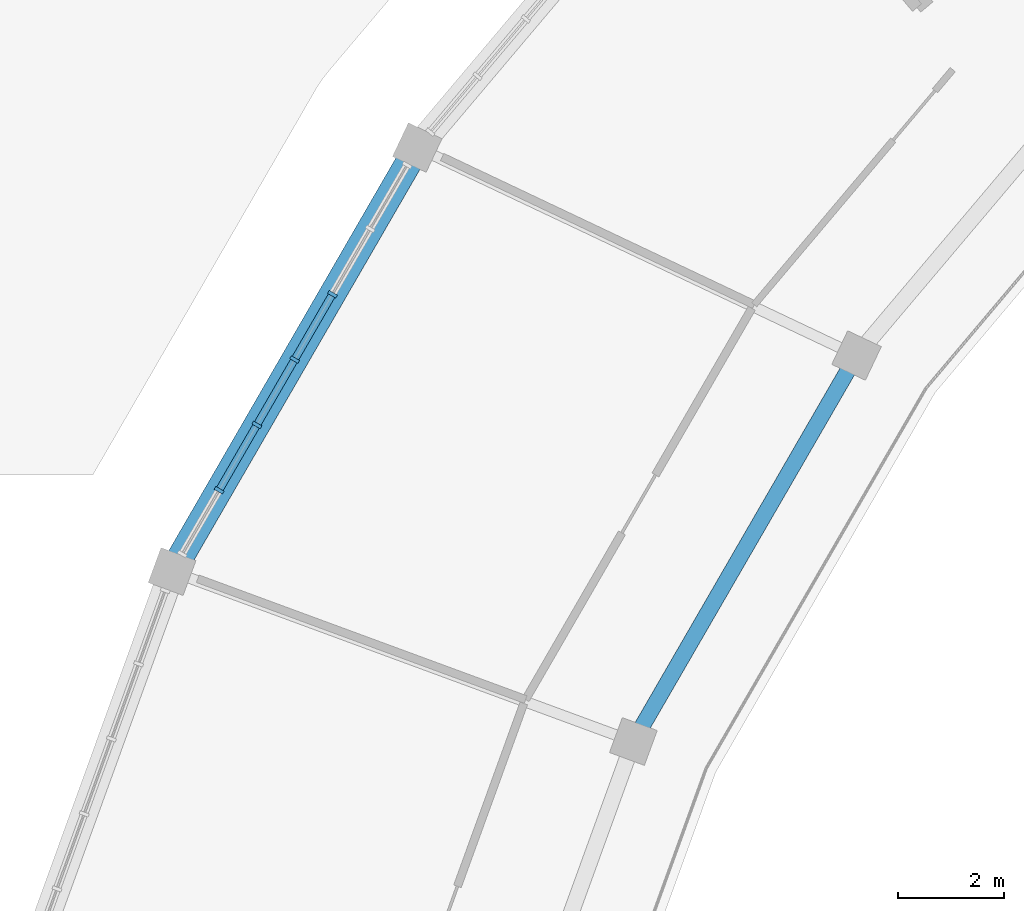
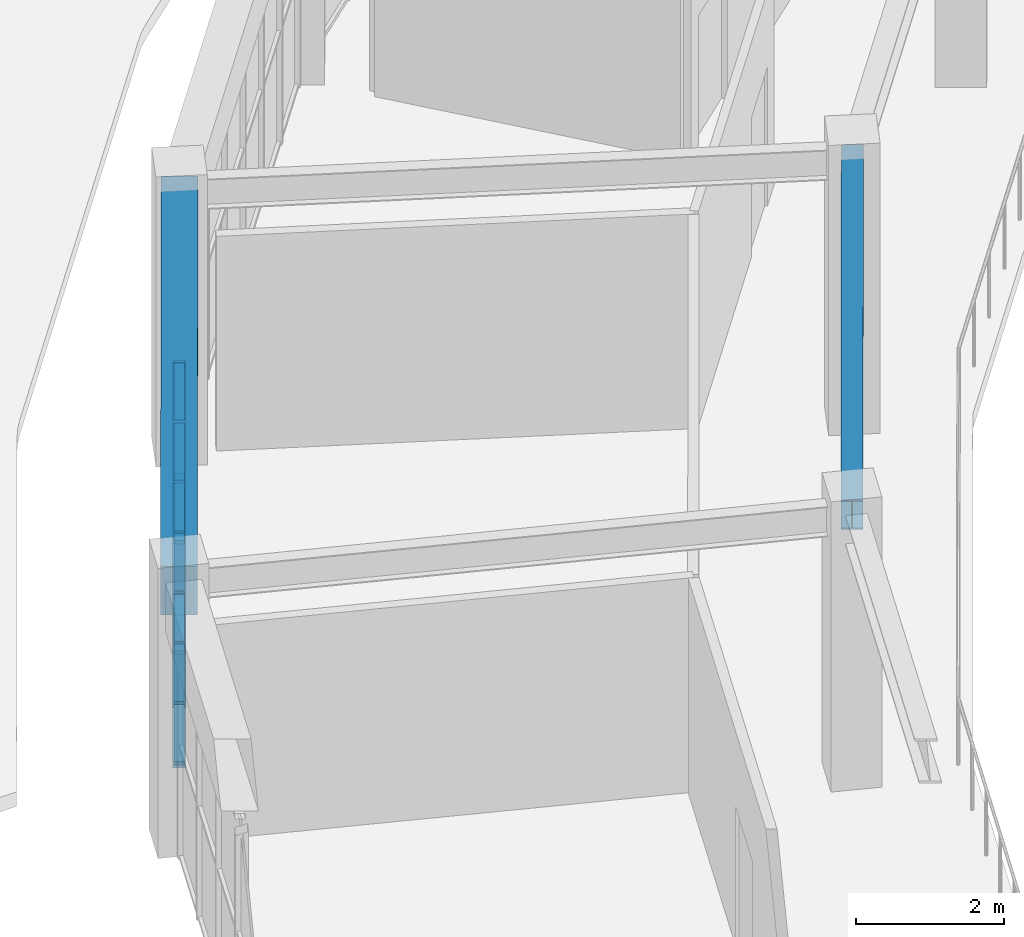
# One storey, part 22 of 45: 13 members, 2 beams, 1 element without a shape of its own.
"""IFC4 building model written with IfcOpenShell, lengths in metres."""

import ifcopenshell
import ifcopenshell.guid

model = None  # the IFC model being written
_history = None  # IfcOwnerHistory: only IFC2X3 demands one
_inside = {}  # id of a spatial element -> (the spatial element, [elements in it])
_under = {}  # id of a project, library or spatial element -> (it, [spatial elements below it])
_declared = {}  # id of a project -> (the project, [libraries it declares])
_typed = {}  # id of a type object -> (the type object, [elements of that type])
_made_of = {}  # id of a material, layer set ... -> (it, [elements and type objects made of it])


def new_model(schema):
    """Start an empty IFC model of exactly this schema.

    Asked for "IFC4X3", IfcOpenShell would pick the latest addendum, in which some entities
    have other attributes; the version numbers below select the first issue.
    IFC2X3 requires an IfcOwnerHistory on every rooted entity: one is made here for all.
    """
    global model, _history
    if schema == "IFC4X3":
        model = ifcopenshell.file(schema_version=(4, 3, 0, 0))
    else:
        model = ifcopenshell.file(schema=schema)
    _inside.clear()
    _under.clear()
    _declared.clear()
    _typed.clear()
    _made_of.clear()
    _history = None
    if model.schema == "IFC2X3":
        org = make("IfcOrganization", Name="unknown")
        user = make(
            "IfcPersonAndOrganization",
            ThePerson=make("IfcPerson", FamilyName="unknown"),
            TheOrganization=org,
        )
        app = make(
            "IfcApplication",
            ApplicationDeveloper=org,
            Version="unknown",
            ApplicationFullName="unknown",
            ApplicationIdentifier="unknown",
        )
        _history = make(
            "IfcOwnerHistory",
            OwningUser=user,
            OwningApplication=app,
            ChangeAction="ADDED",
            CreationDate=0,
        )
    return model


def make(cls, **values):
    """One entity of the class cls with the attributes given. An attribute that is None is left unset."""
    return model.create_entity(
        cls, **{name: value for name, value in values.items() if value is not None}
    )


def rooted(cls, **values):
    """An entity with a GlobalId (a new one), such as an element, a storey or a relation."""
    return make(cls, GlobalId=ifcopenshell.guid.new(), OwnerHistory=_history, **values)


def si_unit(unit_type, name, prefix=None):
    """IfcSIUnit, for example si_unit("LENGTHUNIT", "METRE", prefix="MILLI")."""
    return make("IfcSIUnit", UnitType=unit_type, Prefix=prefix, Name=name)


def assignment(units):
    """IfcUnitAssignment: the units of a project."""
    return None if units is None else make("IfcUnitAssignment", Units=units)


def point(xyz):
    """IfcCartesianPoint."""
    return None if xyz is None else make("IfcCartesianPoint", Coordinates=xyz)


def direction(xyz):
    """IfcDirection."""
    return None if xyz is None else make("IfcDirection", DirectionRatios=xyz)


def frame(location, z_axis=None, x_axis=None):
    """IfcAxis2Placement3D, a coordinate frame: its origin and axes. An axis left out is left unset."""
    return make(
        "IfcAxis2Placement3D",
        Location=point(location),
        Axis=direction(z_axis),
        RefDirection=direction(x_axis),
    )


def frame_2d(location, x_axis=None):
    """IfcAxis2Placement2D, a coordinate frame in the plane: its origin and x axis."""
    return make(
        "IfcAxis2Placement2D", Location=point(location), RefDirection=direction(x_axis)
    )


def origin():
    """The frame at (0, 0, 0) with its axes left unset."""
    return frame((0.0, 0.0, 0.0))


def origin_2d():
    """The frame at (0, 0) in the plane with its x axis left unset."""
    return frame_2d((0.0, 0.0))


def place(relative_to, where):
    """IfcLocalPlacement: puts the frame where relative to a parent placement (None: the world)."""
    return make(
        "IfcLocalPlacement", PlacementRelTo=relative_to, RelativePlacement=where
    )


def context(
    kind, dimensions, precision=None, world=None, true_north=None, identifier=None
):
    """IfcGeometricRepresentationContext, for example the 3D "Model" context."""
    return make(
        "IfcGeometricRepresentationContext",
        ContextIdentifier=identifier,
        ContextType=kind,
        CoordinateSpaceDimension=dimensions,
        Precision=precision,
        WorldCoordinateSystem=world,
        TrueNorth=true_north,
    )


def subcontext(parent, identifier, kind, view, scale=None):
    """IfcGeometricRepresentationSubContext, for example "Body" below "Model"."""
    return make(
        "IfcGeometricRepresentationSubContext",
        ContextIdentifier=identifier,
        ContextType=kind,
        ParentContext=parent,
        TargetScale=scale,
        TargetView=view,
    )


def project(units=None, contexts=None):
    """IfcProject with its units and contexts."""
    return rooted(
        "IfcProject",
        Name="project",
        RepresentationContexts=contexts,
        UnitsInContext=assignment(units),
    )


def spatial(cls, under=None, at=None, **own):
    """A site, building, storey or space (cls), placed at a placement, below another one or the project."""
    s = rooted(cls, ObjectPlacement=at, **own)
    if under is not None:
        _under.setdefault(under.id(), (under, []))[1].append(s)
    return s


def profile(cls, at=None, kind="AREA", **sizes):
    """A parametric profile (cls). Its sizes go by their IFC names, for example OverallWidth=200.0."""
    return make(cls, ProfileType=kind, Position=at, **sizes)


def rectangle(**sizes):
    """IfcRectangleProfileDef."""
    return profile("IfcRectangleProfileDef", **sizes)


def i_section(**sizes):
    """IfcIShapeProfileDef."""
    return profile("IfcIShapeProfileDef", **sizes)


def extrude(swept, where, along, depth):
    """IfcExtrudedAreaSolid: the profile swept, set in the frame where, extruded along a direction by depth."""
    return make(
        "IfcExtrudedAreaSolid",
        SweptArea=swept,
        Position=where,
        ExtrudedDirection=direction(along),
        Depth=depth,
    )


def shape(context_of_items, identifier, shape_type, items):
    """IfcShapeRepresentation: the items that make up one representation, for example the "Body"."""
    return make(
        "IfcShapeRepresentation",
        ContextOfItems=context_of_items,
        RepresentationIdentifier=identifier,
        RepresentationType=shape_type,
        Items=items,
    )


def material(Name=None, Category=None):
    """IfcMaterial."""
    return make("IfcMaterial", Name=Name, Category=Category)


def layer(
    of_material, thickness, ventilated=None, Name=None, Category=None, Priority=None
):
    """IfcMaterialLayer: one layer of a wall or slab, of a material (None: an air gap)."""
    return make(
        "IfcMaterialLayer",
        Material=of_material,
        LayerThickness=thickness,
        IsVentilated=ventilated,
        Name=Name,
        Category=Category,
        Priority=Priority,
    )


def layer_set(layers, Name=None):
    """IfcMaterialLayerSet."""
    return make("IfcMaterialLayerSet", MaterialLayers=layers, LayerSetName=Name)


def material_profile(
    of_material, cross_section, Name=None, Category=None, Priority=None
):
    """IfcMaterialProfile: a cross section and its material."""
    return make(
        "IfcMaterialProfile",
        Name=Name,
        Material=of_material,
        Profile=cross_section,
        Priority=Priority,
        Category=Category,
    )


def profile_set(profiles, Name=None, composite=None):
    """IfcMaterialProfileSet."""
    return make(
        "IfcMaterialProfileSet",
        Name=Name,
        MaterialProfiles=profiles,
        CompositeProfile=composite,
    )


def made_of(thing, what):
    """Note that an element or type object is made of a material, layer set ...; save() writes the relation."""
    if what is not None:
        _made_of.setdefault(what.id(), (what, []))[1].append(thing)
    return thing


def type_object(cls, material=None, **own):
    """A type object (cls), such as IfcWallType, which elements share."""
    return made_of(rooted(cls, **own), material)


def element(
    cls,
    number,
    at=None,
    inside=None,
    cuts=None,
    type_object=None,
    material=None,
    context=None,
    identifier="Body",
    shape_type=None,
    held_by="IfcProductDefinitionShape",
    body=None,
    shapes=None,
    **own,
):
    """One element of the class cls, such as IfcWall. Its Tag is "e" and its number.

    at: its placement. inside: the storey or other place that contains it. cuts: it is an
    opening in that element (IfcRelVoidsElement). A single representation is given by context,
    identifier, shape_type and body (its items); several are given by shapes. held_by: the class
    of the entity that holds the representations. save() writes the other relations.
    """
    e = rooted(cls, Tag="e%d" % number, ObjectPlacement=at, **own)
    if body is not None:
        shapes = [shape(context, identifier, shape_type, body)]
    if shapes is not None:
        e.Representation = make(held_by, Representations=shapes)
    if inside is not None:
        _inside.setdefault(inside.id(), (inside, []))[1].append(e)
    if cuts is not None:
        rooted(
            "IfcRelVoidsElement", RelatingBuildingElement=cuts, RelatedOpeningElement=e
        )
    if type_object is not None:
        _typed.setdefault(type_object.id(), (type_object, []))[1].append(e)
    return made_of(e, material)


def aggregate(whole, parts):
    """IfcRelAggregates: a whole, such as a stair, and the parts it consists of."""
    return rooted("IfcRelAggregates", RelatingObject=whole, RelatedObjects=parts)


def save(model, path):
    """Write the relations noted so far, then the file.

    IfcRelAggregates (storeys below a building ...), IfcRelContainedInSpatialStructure (elements
    in a storey), IfcRelDefinesByType, IfcRelAssociatesMaterial and IfcRelDeclares: one each for
    every whole, place, type object, material and project.
    """
    for whole, parts in _under.values():
        aggregate(whole, parts)
    for where, things in _inside.values():
        rooted(
            "IfcRelContainedInSpatialStructure",
            RelatedElements=things,
            RelatingStructure=where,
        )
    for kind, things in _typed.values():
        rooted("IfcRelDefinesByType", RelatedObjects=things, RelatingType=kind)
    for what, things in _made_of.values():
        rooted("IfcRelAssociatesMaterial", RelatedObjects=things, RelatingMaterial=what)
    for by, libraries in _declared.values():
        rooted("IfcRelDeclares", RelatingContext=by, RelatedDefinitions=libraries)
    model.write(path)


model = new_model("IFC4")

# Units and contexts
model_context = context("Model", 3, precision=1e-05, world=origin(), true_north=direction((0.0, 1.0)))
body_context = subcontext(model_context, "Body", "Model", "MODEL_VIEW")
ifc_project = project(units=[si_unit("LENGTHUNIT", "METRE"), si_unit("AREAUNIT", "SQUARE_METRE"), si_unit("VOLUMEUNIT", "CUBIC_METRE"), si_unit("PLANEANGLEUNIT", "RADIAN"), si_unit("MASSUNIT", "GRAM", prefix="KILO")], contexts=[model_context])

# Site, building, storey
site_placement = place(None, origin())
site = spatial("IfcSite", under=ifc_project, at=site_placement, CompositionType="ELEMENT")
building_placement = place(site_placement, origin())
building = spatial("IfcBuilding", under=site, at=building_placement, Name="Mphavela Belvedere Stadium", CompositionType="ELEMENT")
storey_placement = place(building_placement, frame((0.0, 0.0, 24.0)))
storey = spatial("IfcBuildingStorey", under=building, at=storey_placement, Name="L05", CompositionType="ELEMENT", Elevation=24.0)

# Beams
ifc_material_1 = material(Name="Concrete C40/50", Category="concrete")
ifc_material_profile_1 = material_profile(ifc_material_1, rectangle(XDim=0.5, YDim=0.800048828125, at=origin_2d()), Name="RC 500x800")
ifc_profile_set_1 = profile_set([ifc_material_profile_1], Name="Concrete C40/50")
beam_type_1 = type_object("IfcBeamType", Name="BM-SPANDREL-800", PredefinedType="SPANDREL", material=ifc_profile_set_1)
beam_1_placement = place(storey_placement, frame((22.757568359375, 130.66162109375, 4.14990234375), z_axis=(-0.500565297122, -0.865698783248, 0.0), x_axis=(0.865698783248, -0.500565297122, 0.0)))
element("IfcBeam", 1, at=beam_1_placement, inside=storey, type_object=beam_type_1, Name="Circumferential girder L05 R4-21", PredefinedType="SPANDREL", context=body_context, shape_type="SweptSolid", body=[
    extrude(rectangle(XDim=0.5, YDim=0.800048828125, at=origin_2d()), origin(), (0.0, 0.0, 1.0), 9.217041015625),
])
ifc_material_2 = material(Name="Steel S355", Category="steel")
ifc_material_profile_2 = material_profile(ifc_material_2, i_section(OverallWidth=0.300048828125, OverallDepth=0.489990234375, WebThickness=0.011962890625, FlangeThickness=0.02294921875, at=origin_2d()), Name="HEA 500")
ifc_profile_set_2 = profile_set([ifc_material_profile_2], Name="Steel S355")
beam_type_2 = type_object("IfcBeamType", Name="BM-STEEL-HEA500", PredefinedType="BEAM", material=ifc_profile_set_2)
beam_2_placement = place(storey_placement, frame((31.0244140625, 126.748291015625, 4.304931640625), z_axis=(-0.500547586322, -0.865709023765, 0.0), x_axis=(0.865709023765, -0.500547586322, 0.0)))
element("IfcBeam", 2, at=beam_2_placement, inside=storey, type_object=beam_type_2, Name="Circumferential girder L05 R3-21", PredefinedType="BEAM", context=body_context, shape_type="SweptSolid", body=[
    extrude(i_section(OverallWidth=0.300048828125, OverallDepth=0.489990234375, WebThickness=0.011962890625, FlangeThickness=0.02294921875, at=origin_2d()), origin(), (0.0, 0.0, 1.0), 8.390625),
])

# Curtain wall, members
ifc_material_3 = material(Name="Anodised bronze unitised curtain wall framing")
ifc_layer = layer(ifc_material_3, 0.18994140625)
ifc_layer_set = layer_set([ifc_layer], Name="Anodised bronze unitised curtain wall framing")
curtain_wall_type = type_object("IfcCurtainWallType", Name="CW-UNIT-03", PredefinedType="USERDEFINED", material=ifc_layer_set)
curtain_wall_placement = place(storey_placement, origin())
curtain_wall = element("IfcCurtainWall", 3, at=curtain_wall_placement, inside=storey, type_object=curtain_wall_type, Name="Belvedere colonnade curtain wall L05-21", ObjectType="UNITISED CURTAIN WALL", PredefinedType="USERDEFINED")
ifc_material_4 = material(Name="Anodised bronze extruded aluminium", Category="aluminium")
ifc_material_profile_3 = material_profile(ifc_material_4, rectangle(XDim=0.179931640625, YDim=0.06494140625, at=origin_2d()), Name="CW-MUL 180x65")
ifc_profile_set_3 = profile_set([ifc_material_profile_3], Name="Anodised bronze extruded aluminium")
member_type_1 = type_object("IfcMemberType", Name="CWM-180x65", PredefinedType="MULLION", material=ifc_profile_set_3)
member_1_placement = place(storey_placement, frame((21.16162109375, 127.9013671875, 0.0), z_axis=(0.0, 0.0, 1.0), x_axis=(0.865704159606, -0.500555998906, 0.0)))
member_1 = element("IfcMember", 4, at=member_1_placement, type_object=member_type_1, Name="CW-03 mullion 3", PredefinedType="MULLION", context=body_context, shape_type="SweptSolid", body=[
    extrude(rectangle(XDim=0.179931640625, YDim=0.06494140625, at=origin_2d()), origin(), (0.0, 0.0, 1.0), 3.719970703125),
])
member_2_placement = place(storey_placement, frame((20.45068359375, 126.671875, 0.0), z_axis=(0.0, 0.0, 1.0), x_axis=(0.865704159606, -0.500555998906, 0.0)))
member_2 = element("IfcMember", 5, at=member_2_placement, type_object=member_type_1, Name="CW-03 mullion 4", PredefinedType="MULLION", context=body_context, shape_type="SweptSolid", body=[
    extrude(rectangle(XDim=0.179931640625, YDim=0.06494140625, at=origin_2d()), origin(), (0.0, 0.0, 1.0), 3.719970703125),
])
member_3_placement = place(storey_placement, frame((19.73974609375, 125.4423828125, 0.0), z_axis=(0.0, 0.0, 1.0), x_axis=(0.865704159606, -0.500555998906, 0.0)))
member_3 = element("IfcMember", 6, at=member_3_placement, type_object=member_type_1, Name="CW-03 mullion 5", PredefinedType="MULLION", context=body_context, shape_type="SweptSolid", body=[
    extrude(rectangle(XDim=0.179931640625, YDim=0.06494140625, at=origin_2d()), origin(), (0.0, 0.0, 1.0), 3.719970703125),
])
member_4_placement = place(storey_placement, frame((19.029052734375, 124.213134765625, 0.0), z_axis=(0.0, 0.0, 1.0), x_axis=(0.865704159606, -0.500555998906, 0.0)))
member_4 = element("IfcMember", 7, at=member_4_placement, type_object=member_type_1, Name="CW-03 mullion 6", PredefinedType="MULLION", context=body_context, shape_type="SweptSolid", body=[
    extrude(rectangle(XDim=0.179931640625, YDim=0.06494140625, at=origin_2d()), origin(), (0.0, 0.0, 1.0), 3.719970703125),
])
ifc_material_5 = material(Name="Anodised bronze extruded aluminium", Category="aluminium")
ifc_material_profile_4 = material_profile(ifc_material_5, rectangle(XDim=0.139892578125, YDim=0.06005859375, at=origin_2d()), Name="CW-TRN 140x60")
ifc_profile_set_4 = profile_set([ifc_material_profile_4], Name="Anodised bronze extruded aluminium")
member_type_2 = type_object("IfcMemberType", Name="CWT-140x60", PredefinedType="USERDEFINED", material=ifc_profile_set_4)
member_5_placement = place(storey_placement, frame((21.145263671875, 127.873291015625, 0.030029296875), z_axis=(-0.500439658564, -0.865771417948, 0.0), x_axis=(0.865771417948, -0.500439658564, 0.0)))
member_5 = element("IfcMember", 8, at=member_5_placement, type_object=member_type_2, Name="CW-03 transom 3.1", ObjectType="TRANSOM", PredefinedType="USERDEFINED", context=body_context, shape_type="SweptSolid", body=[
    extrude(rectangle(XDim=0.139892578125, YDim=0.06005859375, at=origin_2d()), origin(), (0.0, 0.0, 1.0), 1.355224609375),
])
member_6_placement = place(storey_placement, frame((21.145263671875, 127.873291015625, 1.860107421875), z_axis=(-0.500439658564, -0.865771417948, 0.0), x_axis=(0.865771417948, -0.500439658564, 0.0)))
member_6 = element("IfcMember", 9, at=member_6_placement, type_object=member_type_2, Name="CW-03 transom 3.2", ObjectType="TRANSOM", PredefinedType="USERDEFINED", context=body_context, shape_type="SweptSolid", body=[
    extrude(rectangle(XDim=0.139892578125, YDim=0.06005859375, at=origin_2d()), origin(), (0.0, 0.0, 1.0), 1.355224609375),
])
member_7_placement = place(storey_placement, frame((21.145263671875, 127.873291015625, 3.68994140625), z_axis=(-0.500439658564, -0.865771417948, 0.0), x_axis=(0.865771417948, -0.500439658564, 0.0)))
member_7 = element("IfcMember", 10, at=member_7_placement, type_object=member_type_2, Name="CW-03 transom 3.3", ObjectType="TRANSOM", PredefinedType="USERDEFINED", context=body_context, shape_type="SweptSolid", body=[
    extrude(rectangle(XDim=0.139892578125, YDim=0.06005859375, at=origin_2d()), origin(), (0.0, 0.0, 1.0), 1.355224609375),
])
member_8_placement = place(storey_placement, frame((20.434326171875, 126.643798828125, 0.030029296875), z_axis=(-0.50051771898, -0.865726292189, 0.0), x_axis=(0.865726292189, -0.50051771898, 0.0)))
member_8 = element("IfcMember", 11, at=member_8_placement, type_object=member_type_2, Name="CW-03 transom 4.1", ObjectType="TRANSOM", PredefinedType="USERDEFINED", context=body_context, shape_type="SweptSolid", body=[
    extrude(rectangle(XDim=0.139892578125, YDim=0.06005859375, at=origin_2d()), origin(), (0.0, 0.0, 1.0), 1.35498046875),
])
member_9_placement = place(storey_placement, frame((20.434326171875, 126.643798828125, 1.860107421875), z_axis=(-0.50051771898, -0.865726292189, 0.0), x_axis=(0.865726292189, -0.50051771898, 0.0)))
member_9 = element("IfcMember", 12, at=member_9_placement, type_object=member_type_2, Name="CW-03 transom 4.2", ObjectType="TRANSOM", PredefinedType="USERDEFINED", context=body_context, shape_type="SweptSolid", body=[
    extrude(rectangle(XDim=0.139892578125, YDim=0.06005859375, at=origin_2d()), origin(), (0.0, 0.0, 1.0), 1.35498046875),
])
member_10_placement = place(storey_placement, frame((20.434326171875, 126.643798828125, 3.68994140625), z_axis=(-0.50051771898, -0.865726292189, 0.0), x_axis=(0.865726292189, -0.50051771898, 0.0)))
member_10 = element("IfcMember", 13, at=member_10_placement, type_object=member_type_2, Name="CW-03 transom 4.3", ObjectType="TRANSOM", PredefinedType="USERDEFINED", context=body_context, shape_type="SweptSolid", body=[
    extrude(rectangle(XDim=0.139892578125, YDim=0.06005859375, at=origin_2d()), origin(), (0.0, 0.0, 1.0), 1.35498046875),
])
member_11_placement = place(storey_placement, frame((19.7236328125, 125.414306640625, 0.030029296875), z_axis=(-0.500652736362, -0.865648218143, 0.0), x_axis=(0.865648218143, -0.500652736362, 0.0)))
member_11 = element("IfcMember", 14, at=member_11_placement, type_object=member_type_2, Name="CW-03 transom 5.1", ObjectType="TRANSOM", PredefinedType="USERDEFINED", context=body_context, shape_type="SweptSolid", body=[
    extrude(rectangle(XDim=0.139892578125, YDim=0.06005859375, at=origin_2d()), origin(), (0.0, 0.0, 1.0), 1.355224609375),
])
member_12_placement = place(storey_placement, frame((19.7236328125, 125.414306640625, 1.860107421875), z_axis=(-0.500652736362, -0.865648218143, 0.0), x_axis=(0.865648218143, -0.500652736362, 0.0)))
member_12 = element("IfcMember", 15, at=member_12_placement, type_object=member_type_2, Name="CW-03 transom 5.2", ObjectType="TRANSOM", PredefinedType="USERDEFINED", context=body_context, shape_type="SweptSolid", body=[
    extrude(rectangle(XDim=0.139892578125, YDim=0.06005859375, at=origin_2d()), origin(), (0.0, 0.0, 1.0), 1.355224609375),
])
member_13_placement = place(storey_placement, frame((19.7236328125, 125.414306640625, 3.68994140625), z_axis=(-0.500652736362, -0.865648218143, 0.0), x_axis=(0.865648218143, -0.500652736362, 0.0)))
member_13 = element("IfcMember", 16, at=member_13_placement, type_object=member_type_2, Name="CW-03 transom 5.3", ObjectType="TRANSOM", PredefinedType="USERDEFINED", context=body_context, shape_type="SweptSolid", body=[
    extrude(rectangle(XDim=0.139892578125, YDim=0.06005859375, at=origin_2d()), origin(), (0.0, 0.0, 1.0), 1.355224609375),
])
aggregate(curtain_wall, [member_1, member_2, member_3, member_4, member_5, member_6, member_7, member_8, member_9, member_10, member_11, member_12, member_13])

save(model, "model.ifc")
